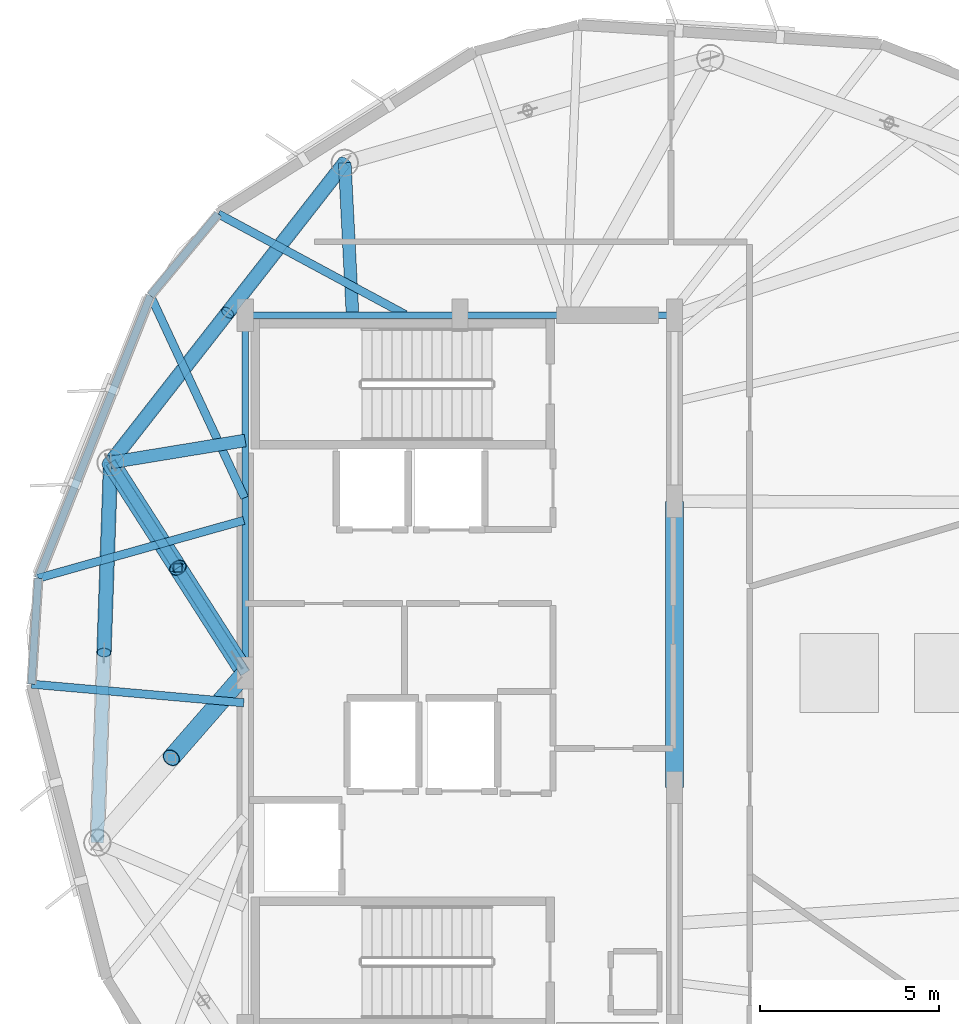
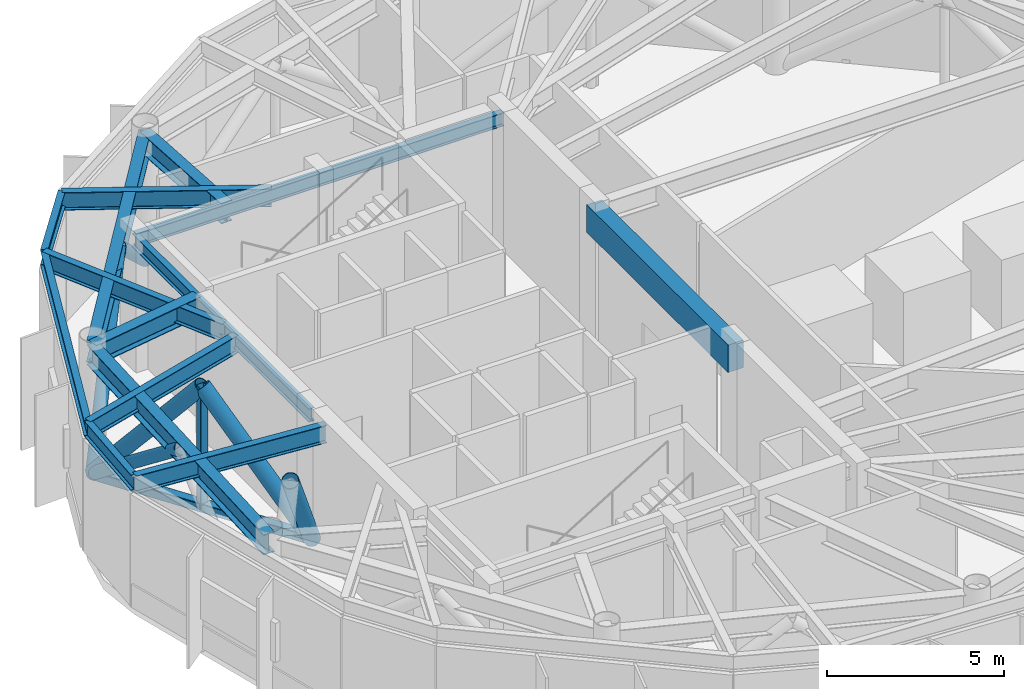
# One storey, part 3 of 14: 15 beams, 8 members.
"""IFC4 building model written with IfcOpenShell, lengths in metres."""

from ifc_helpers import new_model, si_unit, direction, frame, origin, origin_2d, place, context, subcontext, project, spatial, rectangle, hollow_rectangle, hollow_circle, i_section, extrude, material, material_profile, profile_set, type_object, element, save


model = new_model("IFC4")

# Units and contexts
model_context = context("Model", 3, precision=1e-05, world=origin(), true_north=direction((0.0, 1.0)))
body_context = subcontext(model_context, "Body", "Model", "MODEL_VIEW")
ifc_project = project(units=[si_unit("LENGTHUNIT", "METRE"), si_unit("AREAUNIT", "SQUARE_METRE"), si_unit("VOLUMEUNIT", "CUBIC_METRE"), si_unit("PLANEANGLEUNIT", "RADIAN"), si_unit("MASSUNIT", "GRAM", prefix="KILO")], contexts=[model_context])

# Site, building, storey
site_placement = place(None, origin())
site = spatial("IfcSite", under=ifc_project, at=site_placement, CompositionType="ELEMENT")
building_placement = place(site_placement, origin())
building = spatial("IfcBuilding", under=site, at=building_placement, Name="Soratama Intermodal Tower", CompositionType="ELEMENT")
storey_placement = place(building_placement, frame((0.0, 0.0, 283.75)))
storey = spatial("IfcBuildingStorey", under=building, at=storey_placement, Name="L72", CompositionType="ELEMENT", Elevation=283.75)

# Beams
ifc_material_1 = material(Name="Concrete f'c 56 MPa", Category="concrete")
ifc_material_profile_1 = material_profile(ifc_material_1, rectangle(XDim=0.5, YDim=0.949951171875, at=origin_2d()), Name="RC500X950")
ifc_profile_set_1 = profile_set([ifc_material_profile_1], Name="Concrete f'c 56 MPa")
beam_type_1 = type_object("IfcBeamType", Name="BM-CPL-RC500X950", PredefinedType="BEAM", material=ifc_profile_set_1)
beam_1_placement = place(storey_placement, frame((44.60009765625, 21.800048828125, 4.02490234375), z_axis=(0.0, 1.0, 0.0), x_axis=(-1.0, 0.0, 0.0)))
element("IfcBeam", 1, at=beam_1_placement, inside=storey, type_object=beam_type_1, Name="L72 Core Coupling Beam East", PredefinedType="BEAM", context=body_context, shape_type="SweptSolid", body=[
    extrude(rectangle(XDim=0.5, YDim=0.949951171875, at=origin_2d()), origin(), (0.0, 0.0, 1.0), 8.0),
])
ifc_material_2 = material(Name="Structural steel ASTM A992 Grade 50", Category="steel")
ifc_material_profile_2 = material_profile(ifc_material_2, i_section(OverallWidth=0.19091796875, OverallDepth=0.4599609375, WebThickness=0.010009765625, FlangeThickness=0.01611328125, FilletRadius=0.010986328125, at=origin_2d()), Name="W18X55")
ifc_profile_set_2 = profile_set([ifc_material_profile_2], Name="Structural steel ASTM A992 Grade 50")
beam_type_2 = type_object("IfcBeamType", Name="BM-FLR-W18X55", PredefinedType="BEAM", material=ifc_profile_set_2)
for number, where, z_axis, x_axis, name in (
    (2, (44.60009765625, 35.0, 4.27001953125), (-1.0, 0.0, 0.0), (0.0, -1.0, 0.0), "BM-L72-CRING-06"),
    (3, (38.60009765625, 35.0, 4.27001953125), (-1.0, 0.0, 0.0), (0.0, -1.0, 0.0), "BM-L72-CRING-07"),
):
    element("IfcBeam", number, at=place(storey_placement, frame(where, z_axis=z_axis, x_axis=x_axis)), inside=storey, type_object=beam_type_2, Name=name, PredefinedType="BEAM", context=body_context, shape_type="SweptSolid", body=[
        extrude(i_section(OverallWidth=0.19091796875, OverallDepth=0.4599609375, WebThickness=0.010009765625, FlangeThickness=0.01611328125, FilletRadius=0.010986328125, at=origin_2d()), origin(), (0.0, 0.0, 1.0), 6.0),
    ])
beam_2_placement = place(storey_placement, frame((32.60009765625, 35.0, 4.27001953125), z_axis=(0.0, -1.0, 0.0), x_axis=(1.0, 0.0, 0.0)))
element("IfcBeam", 4, at=beam_2_placement, inside=storey, type_object=beam_type_2, Name="BM-L72-CRING-08", PredefinedType="BEAM", context=body_context, shape_type="SweptSolid", body=[
    extrude(i_section(OverallWidth=0.19091796875, OverallDepth=0.4599609375, WebThickness=0.010009765625, FlangeThickness=0.01611328125, FilletRadius=0.010986328125, at=origin_2d()), origin(), (0.0, 0.0, 1.0), 10.0),
])
ifc_material_3 = material(Name="Structural steel ASTM A992 Grade 50", Category="steel")
ifc_material_profile_3 = material_profile(ifc_material_3, i_section(OverallWidth=0.35498046875, OverallDepth=0.695068359375, WebThickness=0.015380859375, FlangeThickness=0.02490234375, FilletRadius=0.01611328125, at=origin_2d()), Name="W27X146")
ifc_profile_set_3 = profile_set([ifc_material_profile_3], Name="Structural steel ASTM A992 Grade 50")
beam_type_3 = type_object("IfcBeamType", Name="BM-RING-W27X146", PredefinedType="BEAM", material=ifc_profile_set_3)
beam_3_placement = place(storey_placement, frame((35.382080078125, 39.259033203125, 4.152587890625), z_axis=(-0.6157278291, -0.787958907858, 0.0), x_axis=(0.787958907858, -0.6157278291, 0.0)))
element("IfcBeam", 5, at=beam_3_placement, inside=storey, type_object=beam_type_3, Name="BM-L72-RING-04", PredefinedType="BEAM", context=body_context, shape_type="SweptSolid", body=[
    extrude(i_section(OverallWidth=0.35498046875, OverallDepth=0.695068359375, WebThickness=0.015380859375, FlangeThickness=0.02490234375, FilletRadius=0.01611328125, at=origin_2d()), origin(), (0.0, 0.0, 1.0), 10.6298828125),
])
beam_4_placement = place(storey_placement, frame((28.8369140625, 30.883056640625, 4.152587890625), z_axis=(-0.034885453879, -0.999391317307, 0.0), x_axis=(0.999391317307, -0.034885453879, 0.0)))
element("IfcBeam", 6, at=beam_4_placement, inside=storey, type_object=beam_type_3, Name="BM-L72-RING-05", PredefinedType="BEAM", context=body_context, shape_type="SweptSolid", body=[
    extrude(i_section(OverallWidth=0.35498046875, OverallDepth=0.695068359375, WebThickness=0.015380859375, FlangeThickness=0.02490234375, FilletRadius=0.01611328125, at=origin_2d()), origin(), (0.0, 0.0, 1.0), 10.630615234375),
])
beam_5_placement = place(storey_placement, frame((35.60009765625, 35.0, 4.152587890625), z_axis=(-0.051122516685, 0.998692389221, 0.0), x_axis=(-0.998692389221, -0.051122516685, 0.0)))
element("IfcBeam", 7, at=beam_5_placement, inside=storey, type_object=beam_type_3, Name="BM-L72-RAD-04", PredefinedType="BEAM", context=body_context, shape_type="SweptSolid", body=[
    extrude(i_section(OverallWidth=0.35498046875, OverallDepth=0.695068359375, WebThickness=0.015380859375, FlangeThickness=0.02490234375, FilletRadius=0.01611328125, at=origin_2d()), origin(), (0.0, 0.0, 1.0), 4.2646484375),
])
beam_6_placement = place(storey_placement, frame((32.60009765625, 31.5, 4.152587890625), z_axis=(-0.986826492219, -0.161782181513, 0.0), x_axis=(0.161782181513, -0.986826492219, 0.0)))
element("IfcBeam", 8, at=beam_6_placement, inside=storey, type_object=beam_type_3, Name="BM-L72-RAD-05", PredefinedType="BEAM", context=body_context, shape_type="SweptSolid", body=[
    extrude(i_section(OverallWidth=0.35498046875, OverallDepth=0.695068359375, WebThickness=0.015380859375, FlangeThickness=0.02490234375, FilletRadius=0.01611328125, at=origin_2d()), origin(), (0.0, 0.0, 1.0), 3.8134765625),
])
ifc_material_4 = material(Name="Structural steel ASTM A992 Grade 50", Category="steel")
ifc_material_profile_4 = material_profile(ifc_material_4, i_section(OverallWidth=0.2099609375, OverallDepth=0.537109375, WebThickness=0.010986328125, FlangeThickness=0.017333984375, FilletRadius=0.012939453125, at=origin_2d()), Name="W21X68")
ifc_profile_set_4 = profile_set([ifc_material_profile_4], Name="Structural steel ASTM A992 Grade 50")
beam_type_4 = type_object("IfcBeamType", Name="BM-SPN-W21X68", PredefinedType="SPANDREL", material=ifc_profile_set_4)
beam_7_placement = place(storey_placement, frame((31.844970703125, 37.8330078125, 4.2314453125), z_axis=(-0.638345382611, -0.769750071452, 0.0), x_axis=(0.769750071452, -0.638345382611, 0.0)))
element("IfcBeam", 9, at=beam_7_placement, inside=storey, type_object=beam_type_4, Name="BS-L72-CRN02", PredefinedType="SPANDREL", context=body_context, shape_type="SweptSolid", body=[
    extrude(i_section(OverallWidth=0.2099609375, OverallDepth=0.537109375, WebThickness=0.010986328125, FlangeThickness=0.017333984375, FilletRadius=0.012939453125, at=origin_2d()), origin(), (0.0, 0.0, 1.0), 2.967041015625),
])
beam_8_placement = place(storey_placement, frame((29.950927734375, 35.549072265625, 4.2314453125), z_axis=(-0.369086587195, -0.929395013518, 0.0), x_axis=(0.929395013518, -0.369086587195, 0.0)))
element("IfcBeam", 10, at=beam_8_placement, inside=storey, type_object=beam_type_4, Name="BS-L72-F03", PredefinedType="SPANDREL", context=body_context, shape_type="SweptSolid", body=[
    extrude(i_section(OverallWidth=0.2099609375, OverallDepth=0.537109375, WebThickness=0.010986328125, FlangeThickness=0.017333984375, FilletRadius=0.012939453125, at=origin_2d()), origin(), (0.0, 0.0, 1.0), 8.499267578125),
])
beam_9_placement = place(storey_placement, frame((26.81396484375, 27.64990234375, 4.2314453125), z_axis=(-0.063689692197, -0.997969750598, 0.0), x_axis=(0.997969750598, -0.063689692197, 0.0)))
element("IfcBeam", 11, at=beam_9_placement, inside=storey, type_object=beam_type_4, Name="BS-L72-CRN03", PredefinedType="SPANDREL", context=body_context, shape_type="SweptSolid", body=[
    extrude(i_section(OverallWidth=0.2099609375, OverallDepth=0.537109375, WebThickness=0.010986328125, FlangeThickness=0.017333984375, FilletRadius=0.012939453125, at=origin_2d()), origin(), (0.0, 0.0, 1.0), 2.967041015625),
])
ifc_material_5 = material(Name="Structural steel ASTM A992 Grade 50", Category="steel")
ifc_material_profile_5 = material_profile(ifc_material_5, i_section(OverallWidth=0.22900390625, OverallDepth=0.612060546875, WebThickness=0.011962890625, FlangeThickness=0.01953125, FilletRadius=0.012939453125, at=origin_2d()), Name="W24X84")
ifc_profile_set_5 = profile_set([ifc_material_profile_5], Name="Structural steel ASTM A992 Grade 50")
beam_type_5 = type_object("IfcBeamType", Name="BM-TIE-W24X84", PredefinedType="BEAM", material=ifc_profile_set_5)
beam_10_placement = place(storey_placement, frame((37.072998046875, 35.01904296875, 4.194091796875), z_axis=(-0.880550310244, 0.473952688703, 0.0), x_axis=(-0.473952688703, -0.880550310244, 0.0)))
element("IfcBeam", 12, at=beam_10_placement, inside=storey, type_object=beam_type_5, Name="BM-L72-TIE1-02", PredefinedType="BEAM", context=body_context, shape_type="SweptSolid", body=[
    extrude(i_section(OverallWidth=0.22900390625, OverallDepth=0.612060546875, WebThickness=0.011962890625, FlangeThickness=0.01953125, FilletRadius=0.012939453125, at=origin_2d()), origin(), (0.0, 0.0, 1.0), 5.937255859375),
])
beam_11_placement = place(storey_placement, frame((32.5830078125, 29.89697265625, 4.194091796875), z_axis=(-0.422152203984, 0.906524967484, 0.0), x_axis=(-0.906524967484, -0.422152203984, 0.0)))
element("IfcBeam", 13, at=beam_11_placement, inside=storey, type_object=beam_type_5, Name="BM-L72-TIE0-03", PredefinedType="BEAM", context=body_context, shape_type="SweptSolid", body=[
    extrude(i_section(OverallWidth=0.22900390625, OverallDepth=0.612060546875, WebThickness=0.011962890625, FlangeThickness=0.01953125, FilletRadius=0.012939453125, at=origin_2d()), origin(), (0.0, 0.0, 1.0), 6.23486328125),
])
beam_12_placement = place(storey_placement, frame((32.56103515625, 29.26611328125, 4.194091796875), z_axis=(-0.962657601417, -0.270721891308, 0.0), x_axis=(0.270721891308, -0.962657601417, 0.0)))
element("IfcBeam", 14, at=beam_12_placement, inside=storey, type_object=beam_type_5, Name="BM-L72-TIE1-03", PredefinedType="BEAM", context=body_context, shape_type="SweptSolid", body=[
    extrude(i_section(OverallWidth=0.22900390625, OverallDepth=0.612060546875, WebThickness=0.011962890625, FlangeThickness=0.01953125, FilletRadius=0.012939453125, at=origin_2d()), origin(), (0.0, 0.0, 1.0), 5.969970703125),
])
beam_13_placement = place(storey_placement, frame((32.56005859375, 24.1669921875, 4.194091796875), z_axis=(-0.996154923266, 0.087609182474, 0.0), x_axis=(-0.087609182474, -0.996154923266, 0.0)))
element("IfcBeam", 15, at=beam_13_placement, inside=storey, type_object=beam_type_5, Name="BM-L72-TIE0-04", PredefinedType="BEAM", context=body_context, shape_type="SweptSolid", body=[
    extrude(i_section(OverallWidth=0.22900390625, OverallDepth=0.612060546875, WebThickness=0.011962890625, FlangeThickness=0.01953125, FilletRadius=0.012939453125, at=origin_2d()), origin(), (0.0, 0.0, 1.0), 5.9580078125),
])

# Members
ifc_material_6 = material(Name="Structural steel ASTM A500 Grade C", Category="steel")
ifc_material_profile_6 = material_profile(ifc_material_6, hollow_circle(Radius=0.203125, WallThickness=0.01611328125, at=origin_2d()), Name="CHS406X16")
ifc_profile_set_6 = profile_set([ifc_material_profile_6], Name="Structural steel ASTM A500 Grade C")
member_type_1 = type_object("IfcMemberType", Name="MB-BLT-CHS406", PredefinedType="BRACE", material=ifc_profile_set_6)
for number, where, z_axis, x_axis, name in (
    (16, (35.3818359375, 39.259521484375, 0.010009765625), (-0.485577133297, -0.621544527258, 0.614733477414), (0.788027159225, -0.615640476515, 0.0), "L72 Belt Truss Brace A 04"),
    (17, (28.83740234375, 30.8828125, 0.010009765625), (0.485588067539, 0.621522293415, 0.614747320004), (-0.788009749053, 0.615662761093, 0.0), "L72 Belt Truss Brace B 04"),
):
    element("IfcMember", number, at=place(storey_placement, frame(where, z_axis=z_axis, x_axis=x_axis)), inside=storey, type_object=member_type_1, Name=name, PredefinedType="BRACE", context=body_context, shape_type="SweptSolid", body=[
        extrude(hollow_circle(Radius=0.203125, WallThickness=0.01611328125, at=origin_2d()), origin(), (0.0, 0.0, 1.0), 6.73876953125),
    ])
member_1_placement = place(storey_placement, frame((28.83740234375, 30.8828125, 0.010009765625), z_axis=(-0.027533680395, -0.788260286877, 0.614725643337), x_axis=(0.99939051635, -0.034908391967, 0.0)))
element("IfcMember", 18, at=member_1_placement, inside=storey, type_object=member_type_1, Name="L72 Belt Truss Brace A 05", PredefinedType="BRACE", context=body_context, shape_type="SweptSolid", body=[
    extrude(hollow_circle(Radius=0.203125, WallThickness=0.01611328125, at=origin_2d()), origin(), (0.0, 0.0, 1.0), 6.739013671875),
])
ifc_material_7 = material(Name="Structural steel ASTM A500 Grade C", Category="steel")
ifc_material_profile_7 = material_profile(ifc_material_7, hollow_rectangle(XDim=0.3046875, YDim=0.3046875, WallThickness=0.01611328125, InnerFilletRadius=0.01611328125, OuterFilletRadius=0.031982421875, at=origin_2d()), Name="HSS305X305X16")
ifc_profile_set_7 = profile_set([ifc_material_profile_7], Name="Structural steel ASTM A500 Grade C")
member_type_2 = type_object("IfcMemberType", Name="MB-CHD-HSS305", PredefinedType="CHORD", material=ifc_profile_set_7)
member_2_placement = place(storey_placement, frame((32.60009765625, 25.0, 0.02001953125), z_axis=(-0.538819543776, 0.842421212485, 0.0), x_axis=(-0.842421212485, -0.538819543776, 0.0)))
element("IfcMember", 19, at=member_2_placement, inside=storey, type_object=member_type_2, Name="L72 Outrigger Chord 05", PredefinedType="CHORD", context=body_context, shape_type="SweptSolid", body=[
    extrude(hollow_rectangle(XDim=0.3046875, YDim=0.3046875, WallThickness=0.01611328125, InnerFilletRadius=0.01611328125, OuterFilletRadius=0.031982421875, at=origin_2d()), origin(), (0.0, 0.0, 1.0), 6.983154296875),
])
ifc_material_8 = material(Name="Structural steel ASTM A500 Grade C", Category="steel")
ifc_material_profile_8 = material_profile(ifc_material_8, hollow_circle(Radius=0.25390625, WallThickness=0.01904296875, at=origin_2d()), Name="CHS508X19")
ifc_profile_set_8 = profile_set([ifc_material_profile_8], Name="Structural steel ASTM A500 Grade C")
member_type_3 = type_object("IfcMemberType", Name="MB-OUT-CHS508", PredefinedType="BRACE", material=ifc_profile_set_8)
member_3_placement = place(storey_placement, frame((32.60009765625, 25.0, 0.010009765625), z_axis=(-0.397385843192, -0.455777998747, 0.796461491529), x_axis=(0.753739208361, -0.657173649638, 0.0)))
element("IfcMember", 20, at=member_3_placement, inside=storey, type_object=member_type_3, Name="L72 Outrigger Brace Inner 06", PredefinedType="BRACE", context=body_context, shape_type="SweptSolid", body=[
    extrude(hollow_circle(Radius=0.25390625, WallThickness=0.01904296875, at=origin_2d()), origin(), (0.0, 0.0, 1.0), 5.201171875),
])
for number, where, z_axis, x_axis, name in (
    (21, (32.60009765625, 25.0, 0.010009765625), (-0.347254624311, 0.542917689294, 0.764627104245), (-0.842421212485, -0.538819543776, 0.0), "L72 Outrigger Brace Inner 05"),
    (22, (28.83740234375, 30.8828125, 0.010009765625), (0.347254624311, -0.542917689294, 0.764627104245), (0.842421212485, 0.538819543776, 0.0), "L72 Outrigger Brace Outer 05"),
):
    element("IfcMember", number, at=place(storey_placement, frame(where, z_axis=z_axis, x_axis=x_axis)), inside=storey, type_object=member_type_3, Name=name, PredefinedType="BRACE", context=body_context, shape_type="SweptSolid", body=[
        extrude(hollow_circle(Radius=0.25390625, WallThickness=0.01904296875, at=origin_2d()), origin(), (0.0, 0.0, 1.0), 5.417724609375),
    ])
ifc_material_9 = material(Name="Structural steel ASTM A500 Grade C", Category="steel")
ifc_material_profile_9 = material_profile(ifc_material_9, hollow_rectangle(XDim=0.25390625, YDim=0.25390625, WallThickness=0.0126953125, InnerFilletRadius=0.0126953125, OuterFilletRadius=0.025390625, at=origin_2d()), Name="HSS254X254X12.7")
ifc_profile_set_9 = profile_set([ifc_material_profile_9], Name="Structural steel ASTM A500 Grade C")
member_type_4 = type_object("IfcMemberType", Name="MB-PST-HSS254", PredefinedType="POST", material=ifc_profile_set_9)
member_4_placement = place(storey_placement, frame((30.71875, 27.94140625, 0.010009765625), z_axis=(0.0, 0.0, 1.0), x_axis=(1.0, 0.0, 0.0)))
element("IfcMember", 23, at=member_4_placement, inside=storey, type_object=member_type_4, Name="L72 Outrigger Post 05", PredefinedType="POST", context=body_context, shape_type="SweptSolid", body=[
    extrude(hollow_rectangle(XDim=0.25390625, YDim=0.25390625, WallThickness=0.0126953125, InnerFilletRadius=0.0126953125, OuterFilletRadius=0.025390625, at=origin_2d()), origin(), (0.0, 0.0, 1.0), 4.142578125),
])

save(model, "model.ifc")
